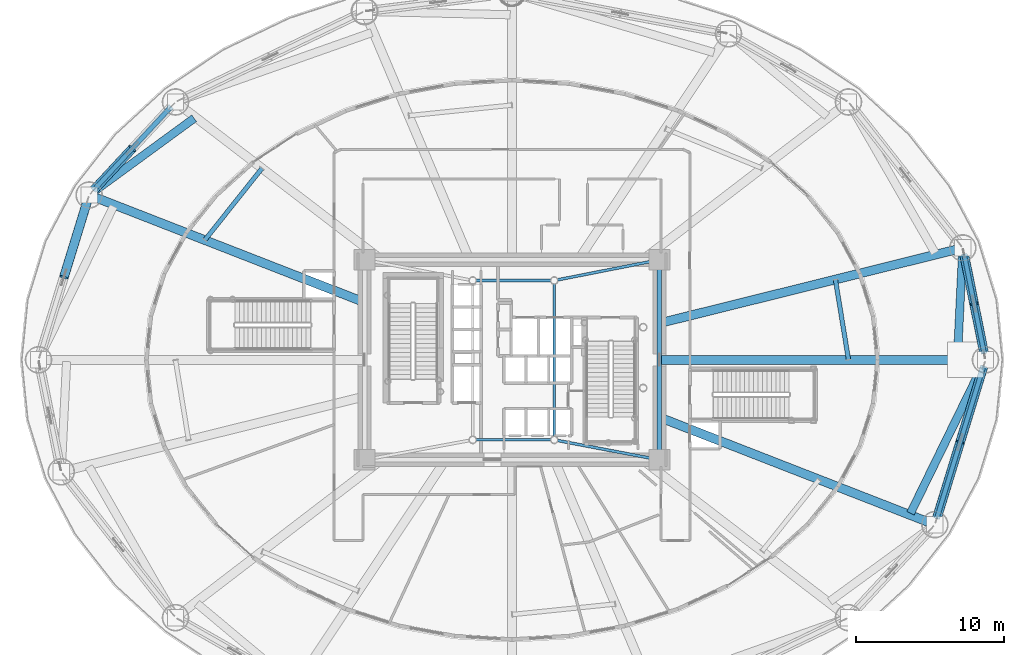
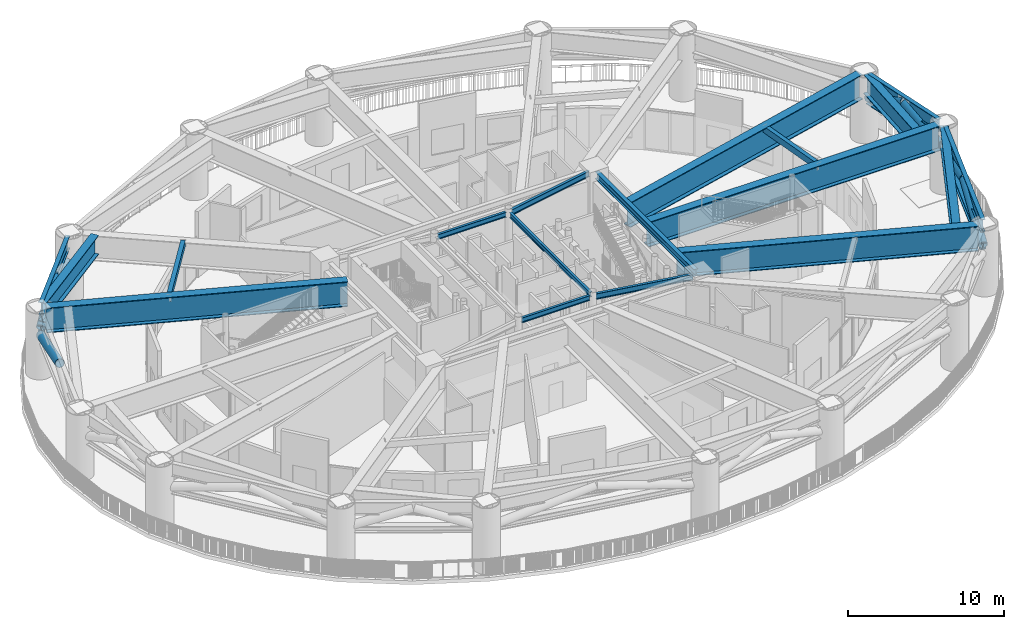
# One storey, part 9 of 39: 21 beams, 6 members.
"""IFC4 building model written with IfcOpenShell, lengths in metres."""

from ifc_helpers import new_model, si_unit, direction, frame, origin, origin_2d, place, context, subcontext, project, spatial, hollow_rectangle, hollow_circle, i_section, extrude, material, material_profile, profile_set, type_object, element, save


model = new_model("IFC4")

# Units and contexts
model_context = context("Model", 3, precision=1e-05, world=origin(), true_north=direction((0.0, 1.0)))
body_context = subcontext(model_context, "Body", "Model", "MODEL_VIEW")
ifc_project = project(units=[si_unit("LENGTHUNIT", "METRE"), si_unit("AREAUNIT", "SQUARE_METRE"), si_unit("VOLUMEUNIT", "CUBIC_METRE"), si_unit("PLANEANGLEUNIT", "RADIAN"), si_unit("MASSUNIT", "GRAM", prefix="KILO")], contexts=[model_context])

# Site, building, storey
site_placement = place(None, origin())
site = spatial("IfcSite", under=ifc_project, at=site_placement, CompositionType="ELEMENT")
building_placement = place(site_placement, origin())
building = spatial("IfcBuilding", under=site, at=building_placement, Name="Linh Dai School and Residence Tower", CompositionType="ELEMENT")
storey_placement = place(building_placement, frame((0.0, 0.0, 27.0)))
storey = spatial("IfcBuildingStorey", under=building, at=storey_placement, Name="L06", CompositionType="ELEMENT", Elevation=27.0)

# Beams
ifc_material = material(Name="Structural Steel S355JR", Category="steel")
ifc_material_profile_1 = material_profile(ifc_material, i_section(OverallWidth=0.41796875, OverallDepth=0.506103515625, WebThickness=0.038818359375, FlangeThickness=0.05810546875, FilletRadius=0.014892578125, at=origin_2d()), Name="HD 400x551")
ifc_profile_set_1 = profile_set([ifc_material_profile_1], Name="Structural Steel S355JR")
beam_type_1 = type_object("IfcBeamType", Name="BM-BC1", PredefinedType="BEAM", material=ifc_profile_set_1)
beam_1_placement = place(storey_placement, frame((67.86669921875, 27.41162109375, 3.050048828125), z_axis=(-0.198405440792, 0.980120034008, 0.0), x_axis=(-0.980120034008, -0.198405440792, 0.0)))
element("IfcBeam", 1, at=beam_1_placement, inside=storey, type_object=beam_type_1, Name="L06 Ring Belt Truss BT1 Bottom Chord 01", PredefinedType="BEAM", context=body_context, shape_type="SweptSolid", body=[
    extrude(i_section(OverallWidth=0.41796875, OverallDepth=0.506103515625, WebThickness=0.038818359375, FlangeThickness=0.05810546875, FilletRadius=0.014892578125, at=origin_2d()), origin(), (0.0, 0.0, 1.0), 6.86865234375),
])
beam_2_placement = place(storey_placement, frame((13.009033203125, 44.0927734375, 3.050048828125), z_axis=(-0.680345653715, -0.73289139132, 0.0), x_axis=(0.73289139132, -0.680345653715, 0.0)))
element("IfcBeam", 2, at=beam_2_placement, inside=storey, type_object=beam_type_1, Name="L06 Ring Belt Truss BT1 Bottom Chord 07", PredefinedType="BEAM", context=body_context, shape_type="SweptSolid", body=[
    extrude(i_section(OverallWidth=0.41796875, OverallDepth=0.506103515625, WebThickness=0.038818359375, FlangeThickness=0.05810546875, FilletRadius=0.014892578125, at=origin_2d()), origin(), (0.0, 0.0, 1.0), 7.726806640625),
])
beam_3_placement = place(storey_placement, frame((64.656982421875, 16.279541015625, 3.050048828125), z_axis=(0.293626522026, 0.955920219246, 0.0), x_axis=(-0.955920219246, 0.293626522026, 0.0)))
element("IfcBeam", 3, at=beam_3_placement, inside=storey, type_object=beam_type_1, Name="L06 Ring Belt Truss BT1 Bottom Chord 16", PredefinedType="BEAM", context=body_context, shape_type="SweptSolid", body=[
    extrude(i_section(OverallWidth=0.41796875, OverallDepth=0.506103515625, WebThickness=0.038818359375, FlangeThickness=0.05810546875, FilletRadius=0.014892578125, at=origin_2d()), origin(), (0.0, 0.0, 1.0), 10.794921875),
])
ifc_material_profile_2 = material_profile(ifc_material, hollow_rectangle(XDim=0.300048828125, YDim=0.5, WallThickness=0.01611328125, at=origin_2d()), Name="RHS 500x300x16")
ifc_profile_set_2 = profile_set([ifc_material_profile_2], Name="Structural Steel S355JR")
beam_type_2 = type_object("IfcBeamType", Name="BM-BX5", PredefinedType="BEAM", material=ifc_profile_set_2)
beam_4_placement = place(storey_placement, frame((58.709228515625, 27.0048828125, 4.89990234375), z_axis=(-0.161524054525, 0.986868775375, 0.0), x_axis=(-0.986868775375, -0.161524054525, 0.0)))
element("IfcBeam", 4, at=beam_4_placement, inside=storey, type_object=beam_type_2, Name="L06 Secondary Circumferential Floor Beam 01", PredefinedType="BEAM", context=body_context, shape_type="SweptSolid", body=[
    extrude(hollow_rectangle(XDim=0.300048828125, YDim=0.5, WallThickness=0.01611328125, at=origin_2d()), origin(), (0.0, 0.0, 1.0), 5.482177734375),
])
beam_5_placement = place(storey_placement, frame((19.128662109375, 39.923583984375, 4.89990234375), z_axis=(-0.622932148127, -0.782275871308, 0.0), x_axis=(0.782275871308, -0.622932148127, 0.0)))
element("IfcBeam", 5, at=beam_5_placement, inside=storey, type_object=beam_type_2, Name="L06 Secondary Circumferential Floor Beam 04", PredefinedType="BEAM", context=body_context, shape_type="SweptSolid", body=[
    extrude(hollow_rectangle(XDim=0.300048828125, YDim=0.5, WallThickness=0.01611328125, at=origin_2d()), origin(), (0.0, 0.0, 1.0), 6.186767578125),
])
ifc_material_profile_3 = material_profile(ifc_material, i_section(OverallWidth=0.300048828125, OverallDepth=1.0, WebThickness=0.01904296875, FlangeThickness=0.035888671875, FilletRadius=0.030029296875, at=origin_2d()), Name="HEB 1000")
ifc_profile_set_3 = profile_set([ifc_material_profile_3], Name="Structural Steel S355JR")
beam_type_3 = type_object("IfcBeamType", Name="BM-RG10", PredefinedType="BEAM", material=ifc_profile_set_3)
beam_6_placement = place(storey_placement, frame((67.86669921875, 27.41162109375, 4.64990234375), z_axis=(-0.198405440792, 0.980120034008, 0.0), x_axis=(-0.980120034008, -0.198405440792, 0.0)))
element("IfcBeam", 6, at=beam_6_placement, inside=storey, type_object=beam_type_3, Name="L06 Perimeter Elliptical Ring Beam 01", PredefinedType="BEAM", context=body_context, shape_type="SweptSolid", body=[
    extrude(i_section(OverallWidth=0.300048828125, OverallDepth=1.0, WebThickness=0.01904296875, FlangeThickness=0.035888671875, FilletRadius=0.030029296875, at=origin_2d()), origin(), (0.0, 0.0, 1.0), 6.86865234375),
])
beam_7_placement = place(storey_placement, frame((13.009033203125, 44.0927734375, 4.64990234375), z_axis=(-0.680345653715, -0.73289139132, 0.0), x_axis=(0.73289139132, -0.680345653715, 0.0)))
element("IfcBeam", 7, at=beam_7_placement, inside=storey, type_object=beam_type_3, Name="L06 Perimeter Elliptical Ring Beam 07", PredefinedType="BEAM", context=body_context, shape_type="SweptSolid", body=[
    extrude(i_section(OverallWidth=0.300048828125, OverallDepth=1.0, WebThickness=0.01904296875, FlangeThickness=0.035888671875, FilletRadius=0.030029296875, at=origin_2d()), origin(), (0.0, 0.0, 1.0), 7.726806640625),
])
beam_8_placement = place(storey_placement, frame((64.656982421875, 16.279541015625, 4.64990234375), z_axis=(0.293626522026, 0.955920219246, 0.0), x_axis=(-0.955920219246, 0.293626522026, 0.0)))
element("IfcBeam", 8, at=beam_8_placement, inside=storey, type_object=beam_type_3, Name="L06 Perimeter Elliptical Ring Beam 16", PredefinedType="BEAM", context=body_context, shape_type="SweptSolid", body=[
    extrude(i_section(OverallWidth=0.300048828125, OverallDepth=1.0, WebThickness=0.01904296875, FlangeThickness=0.035888671875, FilletRadius=0.030029296875, at=origin_2d()), origin(), (0.0, 0.0, 1.0), 10.794921875),
])
ifc_material_profile_4 = material_profile(ifc_material, i_section(OverallWidth=0.300048828125, OverallDepth=0.550048828125, WebThickness=0.014892578125, FlangeThickness=0.029052734375, FilletRadius=0.027099609375, at=origin_2d()), Name="HEB 550")
ifc_profile_set_4 = profile_set([ifc_material_profile_4], Name="Structural Steel S355JR")
beam_type_4 = type_object("IfcBeamType", Name="BM-RG55", PredefinedType="BEAM", material=ifc_profile_set_4)
beam_9_placement = place(storey_placement, frame((45.949951171875, 20.669921875, 4.875), z_axis=(0.0, 1.0, 0.0), x_axis=(-1.0, 0.0, 0.0)))
element("IfcBeam", 9, at=beam_9_placement, inside=storey, type_object=beam_type_4, Name="L06 Core Perimeter Coupling Girder 2", PredefinedType="BEAM", context=body_context, shape_type="SweptSolid", body=[
    extrude(i_section(OverallWidth=0.300048828125, OverallDepth=0.550048828125, WebThickness=0.014892578125, FlangeThickness=0.029052734375, FilletRadius=0.027099609375, at=origin_2d()), origin(), (0.0, 0.0, 1.0), 12.66015625),
])
ifc_material_profile_5 = material_profile(ifc_material, i_section(OverallWidth=0.179931640625, OverallDepth=0.39990234375, WebThickness=0.008544921875, FlangeThickness=0.013427734375, FilletRadius=0.02099609375, at=origin_2d()), Name="IPE 400")
ifc_profile_set_5 = profile_set([ifc_material_profile_5], Name="Structural Steel S355JR")
beam_type_5 = type_object("IfcBeamType", Name="BM-SB40", PredefinedType="BEAM", material=ifc_profile_set_5)
beam_10_placement = place(storey_placement, frame((33.573974609375, 21.60009765625, 4.949951171875), z_axis=(1.0, 0.0, 0.0), x_axis=(0.0, 1.0, 0.0)))
element("IfcBeam", 10, at=beam_10_placement, inside=storey, type_object=beam_type_5, Name="L06 Core Mast Pier Tie Beam 1", PredefinedType="BEAM", context=body_context, shape_type="SweptSolid", body=[
    extrude(i_section(OverallWidth=0.179931640625, OverallDepth=0.39990234375, WebThickness=0.008544921875, FlangeThickness=0.013427734375, FilletRadius=0.02099609375, at=origin_2d()), origin(), (0.0, 0.0, 1.0), 5.052001953125),
])
beam_11_placement = place(storey_placement, frame((38.85009765625, 21.823974609375, 4.949951171875), z_axis=(0.0, 1.0, 0.0), x_axis=(-1.0, 0.0, 0.0)))
element("IfcBeam", 11, at=beam_11_placement, inside=storey, type_object=beam_type_5, Name="L06 Core Mast Pier Tie Beam 2", PredefinedType="BEAM", context=body_context, shape_type="SweptSolid", body=[
    extrude(i_section(OverallWidth=0.179931640625, OverallDepth=0.39990234375, WebThickness=0.008544921875, FlangeThickness=0.013427734375, FilletRadius=0.02099609375, at=origin_2d()), origin(), (0.0, 0.0, 1.0), 10.302001953125),
])
beam_12_placement = place(storey_placement, frame((38.6259765625, 32.35009765625, 4.949951171875), z_axis=(-1.0, 0.0, 0.0), x_axis=(0.0, -1.0, 0.0)))
element("IfcBeam", 12, at=beam_12_placement, inside=storey, type_object=beam_type_5, Name="L06 Core Mast Pier Tie Beam 3", PredefinedType="BEAM", context=body_context, shape_type="SweptSolid", body=[
    extrude(i_section(OverallWidth=0.179931640625, OverallDepth=0.39990234375, WebThickness=0.008544921875, FlangeThickness=0.013427734375, FilletRadius=0.02099609375, at=origin_2d()), origin(), (0.0, 0.0, 1.0), 5.052001953125),
])
ifc_material_profile_6 = material_profile(ifc_material, i_section(OverallWidth=0.18994140625, OverallDepth=0.449951171875, WebThickness=0.009521484375, FlangeThickness=0.0146484375, FilletRadius=0.02099609375, at=origin_2d()), Name="IPE 450")
ifc_profile_set_6 = profile_set([ifc_material_profile_6], Name="Structural Steel S355JR")
beam_type_6 = type_object("IfcBeamType", Name="BM-SB45", PredefinedType="BEAM", material=ifc_profile_set_6)
beam_13_placement = place(storey_placement, frame((45.537353515625, 20.328369140625, 4.925048828125), z_axis=(-0.982397918823, 0.186800238471, 0.0), x_axis=(-0.186800238471, -0.982397918823, 0.0)))
element("IfcBeam", 13, at=beam_13_placement, inside=storey, type_object=beam_type_6, Name="L06 Core Corner-to-Mast Pier Beam 2", PredefinedType="BEAM", context=body_context, shape_type="SweptSolid", body=[
    extrude(i_section(OverallWidth=0.18994140625, OverallDepth=0.449951171875, WebThickness=0.009521484375, FlangeThickness=0.0146484375, FilletRadius=0.02099609375, at=origin_2d()), origin(), (0.0, 0.0, 1.0), 6.583251953125),
])
beam_14_placement = place(storey_placement, frame((45.537841796875, 33.668701171875, 4.925048828125), z_axis=(-0.981108354988, -0.193459028666, 0.0), x_axis=(0.193459028666, -0.981108354988, 0.0)))
element("IfcBeam", 14, at=beam_14_placement, inside=storey, type_object=beam_type_6, Name="L06 Core Corner-to-Mast Pier Beam 3", PredefinedType="BEAM", context=body_context, shape_type="SweptSolid", body=[
    extrude(i_section(OverallWidth=0.18994140625, OverallDepth=0.449951171875, WebThickness=0.009521484375, FlangeThickness=0.0146484375, FilletRadius=0.02099609375, at=origin_2d()), origin(), (0.0, 0.0, 1.0), 6.592529296875),
])
ifc_material_profile_7 = material_profile(ifc_material, i_section(OverallWidth=0.550048828125, OverallDepth=1.5, WebThickness=0.028076171875, FlangeThickness=0.050048828125, at=origin_2d()), Name="PG 1500x550x28x50")
ifc_profile_set_7 = profile_set([ifc_material_profile_7], Name="Structural Steel S355JR")
beam_type_7 = type_object("IfcBeamType", Name="BM-TG15", PredefinedType="BEAM", material=ifc_profile_set_7)
beam_15_placement = place(storey_placement, frame((66.055908203125, 27.119873046875, 4.39990234375), z_axis=(0.048970336446, 0.998800233354, 0.0), x_axis=(-0.998800233354, 0.048970336446, 0.0)))
element("IfcBeam", 15, at=beam_15_placement, inside=storey, type_object=beam_type_7, Name="L06 Setback Diaphragm Transfer Girder 01", PredefinedType="BEAM", context=body_context, shape_type="SweptSolid", body=[
    extrude(i_section(OverallWidth=0.550048828125, OverallDepth=1.5, WebThickness=0.028076171875, FlangeThickness=0.050048828125, at=origin_2d()), origin(), (0.0, 0.0, 1.0), 7.024658203125),
])
beam_16_placement = place(storey_placement, frame((14.55029296875, 43.29833984375, 4.39990234375), z_axis=(-0.807418430654, -0.589979218142, 0.0), x_axis=(0.589979218142, -0.807418430654, 0.0)))
element("IfcBeam", 16, at=beam_16_placement, inside=storey, type_object=beam_type_7, Name="L06 Setback Diaphragm Transfer Girder 07", PredefinedType="BEAM", context=body_context, shape_type="SweptSolid", body=[
    extrude(i_section(OverallWidth=0.550048828125, OverallDepth=1.5, WebThickness=0.028076171875, FlangeThickness=0.050048828125, at=origin_2d()), origin(), (0.0, 0.0, 1.0), 8.353515625),
])
beam_17_placement = place(storey_placement, frame((62.88818359375, 16.64404296875, 4.39990234375), z_axis=(0.439141532385, 0.898417895266, 0.0), x_axis=(-0.898417895266, 0.439141532385, 0.0)))
element("IfcBeam", 17, at=beam_17_placement, inside=storey, type_object=beam_type_7, Name="L06 Setback Diaphragm Transfer Girder 16", PredefinedType="BEAM", context=body_context, shape_type="SweptSolid", body=[
    extrude(i_section(OverallWidth=0.550048828125, OverallDepth=1.5, WebThickness=0.028076171875, FlangeThickness=0.050048828125, at=origin_2d()), origin(), (0.0, 0.0, 1.0), 11.106689453125),
])
ifc_material_profile_8 = material_profile(ifc_material, i_section(OverallWidth=0.60009765625, OverallDepth=1.949951171875, WebThickness=0.031982421875, FlangeThickness=0.054931640625, at=origin_2d()), Name="PG 1950x600x32x55")
ifc_profile_set_8 = profile_set([ifc_material_profile_8], Name="Structural Steel S355JR")
beam_type_8 = type_object("IfcBeamType", Name="BM-TG19", PredefinedType="BEAM", material=ifc_profile_set_8)
beam_18_placement = place(storey_placement, frame((45.949951171875, 27.0, 4.175048828125), z_axis=(1.0, 0.0, 0.0), x_axis=(0.0, 1.0, 0.0)))
element("IfcBeam", 18, at=beam_18_placement, inside=storey, type_object=beam_type_8, Name="L06 Radial Setback Transfer Girder 01", PredefinedType="BEAM", context=body_context, shape_type="SweptSolid", body=[
    extrude(i_section(OverallWidth=0.60009765625, OverallDepth=1.949951171875, WebThickness=0.031982421875, FlangeThickness=0.054931640625, at=origin_2d()), origin(), (0.0, 0.0, 1.0), 21.580078125),
])
beam_19_placement = place(storey_placement, frame((45.949951171875, 29.47119140625, 4.175048828125), z_axis=(0.970515097282, 0.241040340913, 0.0), x_axis=(-0.241040340913, 0.970515097282, 0.0)))
element("IfcBeam", 19, at=beam_19_placement, inside=storey, type_object=beam_type_8, Name="L06 Radial Setback Transfer Girder 02", PredefinedType="BEAM", context=body_context, shape_type="SweptSolid", body=[
    extrude(i_section(OverallWidth=0.60009765625, OverallDepth=1.949951171875, WebThickness=0.031982421875, FlangeThickness=0.054931640625, at=origin_2d()), origin(), (0.0, 0.0, 1.0), 20.672607421875),
])
for number, where, z_axis, x_axis, name in (
    (20, (26.050048828125, 30.87841796875, 4.175048828125), (-0.931723276589, 0.363169018312, 0.0), (-0.363169018312, -0.931723276589, 0.0), "L06 Radial Setback Transfer Girder 08"),
    (21, (45.949951171875, 23.12158203125, 4.175048828125), (0.931723276589, -0.363169018312, 0.0), (0.363169018312, 0.931723276589, 0.0), "L06 Radial Setback Transfer Girder 16"),
):
    element("IfcBeam", number, at=place(storey_placement, frame(where, z_axis=z_axis, x_axis=x_axis)), inside=storey, type_object=beam_type_8, Name=name, PredefinedType="BEAM", context=body_context, shape_type="SweptSolid", body=[
        extrude(i_section(OverallWidth=0.60009765625, OverallDepth=1.949951171875, WebThickness=0.031982421875, FlangeThickness=0.054931640625, at=origin_2d()), origin(), (0.0, 0.0, 1.0), 19.525634765625),
    ])

# Members
ifc_material_profile_9 = material_profile(ifc_material, hollow_circle(Radius=0.304931640625, WallThickness=0.02490234375, at=origin_2d()), Name="CHS 610x25")
ifc_profile_set_9 = profile_set([ifc_material_profile_9], Name="Structural Steel S355JR")
member_type = type_object("IfcMemberType", Name="MBR-BT1", PredefinedType="BRACE", material=ifc_profile_set_9)
member_1_placement = place(storey_placement, frame((67.873046875, 27.380126953125, 3.2109375), z_axis=(-0.183243095957, 0.905222195008, 0.383398937725), x_axis=(-0.980120201391, -0.198404613921, 0.0)))
element("IfcMember", 22, at=member_1_placement, inside=storey, type_object=member_type, Name="L06 Ring Belt Truss BT1 Diagonal 01A", PredefinedType="BRACE", context=body_context, shape_type="SweptSolid", body=[
    extrude(hollow_circle(Radius=0.304931640625, WallThickness=0.02490234375, at=origin_2d()), origin(), (0.0, 0.0, 1.0), 3.753173828125),
])
member_2_placement = place(storey_placement, frame((66.49755859375, 34.17529296875, 3.2109375), z_axis=(0.183232306469, -0.905233940053, 0.383376362914), x_axis=(0.980122973584, 0.198390918775, 0.0)))
element("IfcMember", 23, at=member_2_placement, inside=storey, type_object=member_type, Name="L06 Ring Belt Truss BT1 Diagonal 01B", PredefinedType="BRACE", context=body_context, shape_type="SweptSolid", body=[
    extrude(hollow_circle(Radius=0.304931640625, WallThickness=0.02490234375, at=origin_2d()), origin(), (0.0, 0.0, 1.0), 3.75341796875),
])
member_3_placement = place(storey_placement, frame((7.734130859375, 38.410400390625, 3.197021484375), z_axis=(0.637346837726, 0.686558950565, 0.349894006578), x_axis=(-0.732885136353, 0.680352391716, 0.0)))
element("IfcMember", 24, at=member_3_placement, inside=storey, type_object=member_type, Name="L06 Ring Belt Truss BT1 Diagonal 07B", PredefinedType="BRACE", context=body_context, shape_type="SweptSolid", body=[
    extrude(hollow_circle(Radius=0.304931640625, WallThickness=0.02490234375, at=origin_2d()), origin(), (0.0, 0.0, 1.0), 4.15234375),
])
for number, where, z_axis, x_axis, name in (
    (25, (7.347412109375, 37.73486328125, 3.161376953125), (-0.283135988121, -0.921692451652, 0.265173597477), (0.955913499002, -0.293648399325, 0.0), "L06 Ring Belt Truss BT1 Diagonal 08A"),
    (26, (64.652587890625, 16.26513671875, 3.161376953125), (0.283135988121, 0.921692451652, 0.265173597477), (-0.955913499002, 0.293648399325, 0.0), "L06 Ring Belt Truss BT1 Diagonal 16A"),
    (27, (67.8310546875, 26.61279296875, 3.161376953125), (-0.283095981527, -0.921703800972, 0.265176862709), (0.955926160006, -0.293607180798, 0.0), "L06 Ring Belt Truss BT1 Diagonal 16B"),
):
    element("IfcMember", number, at=place(storey_placement, frame(where, z_axis=z_axis, x_axis=x_axis)), inside=storey, type_object=member_type, Name=name, PredefinedType="BRACE", context=body_context, shape_type="SweptSolid", body=[
        extrude(hollow_circle(Radius=0.304931640625, WallThickness=0.02490234375, at=origin_2d()), origin(), (0.0, 0.0, 1.0), 5.61328125),
    ])

save(model, "model.ifc")
